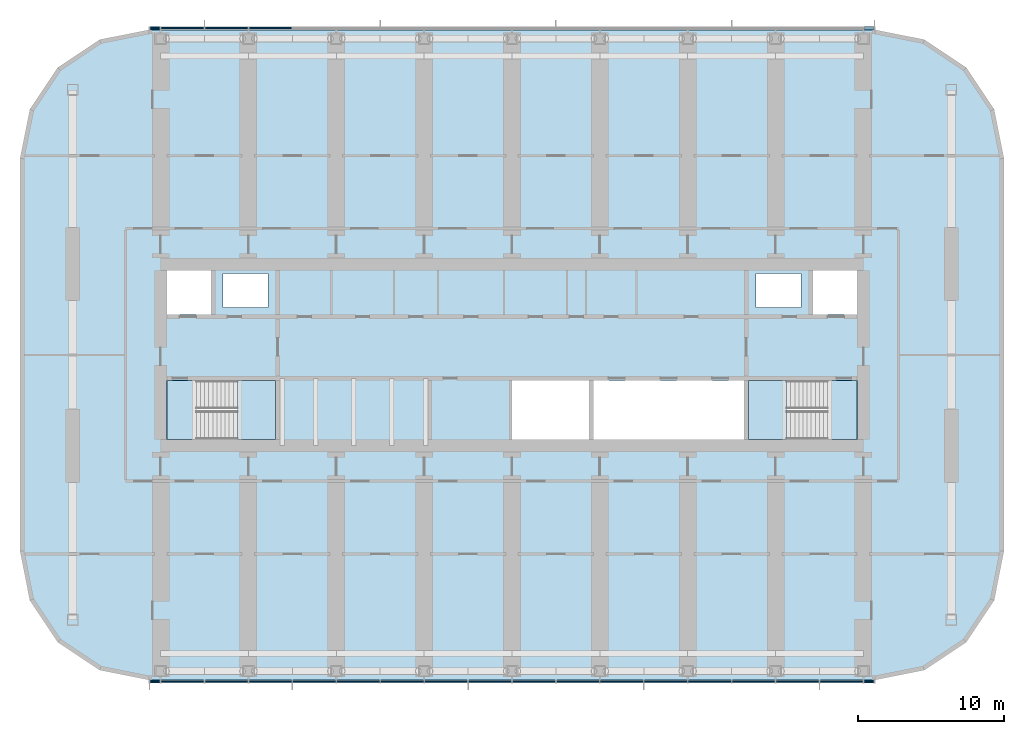
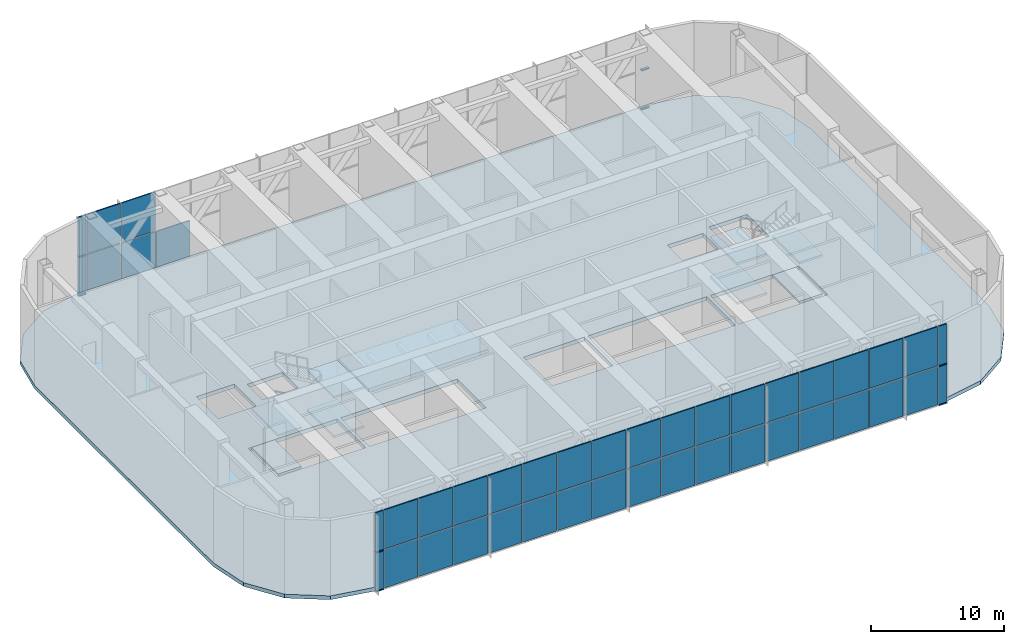
# One storey, part 6 of 22: 43 plates, 10 slabs, 8 members, 4 elements without a shape of their own.
"""IFC4 building model written with IfcOpenShell, lengths in metres."""

from ifc_helpers import new_model, si_unit, direction, frame, origin, origin_2d, place, context, subcontext, project, spatial, polyline, rectangle, outline, extrude, material, layer, layer_set, material_profile, profile_set, type_object, element, aggregate, save


model = new_model("IFC4")

# Units and contexts
model_context = context("Model", 3, precision=1e-05, world=origin(), true_north=direction((0.0, 1.0)))
body_context = subcontext(model_context, "Body", "Model", "MODEL_VIEW")
ifc_project = project(units=[si_unit("LENGTHUNIT", "METRE"), si_unit("AREAUNIT", "SQUARE_METRE"), si_unit("VOLUMEUNIT", "CUBIC_METRE"), si_unit("PLANEANGLEUNIT", "RADIAN"), si_unit("MASSUNIT", "GRAM", prefix="KILO")], contexts=[model_context])

# Site, building, storey
site_placement = place(None, origin())
site = spatial("IfcSite", under=ifc_project, at=site_placement, CompositionType="ELEMENT")
building_placement = place(site_placement, origin())
building = spatial("IfcBuilding", under=site, at=building_placement, Name="Orbita Commons", CompositionType="ELEMENT")
storey_placement = place(building_placement, frame((0.0, 0.0, 201.10009765625)))
storey = spatial("IfcBuildingStorey", under=building, at=storey_placement, Name="L50", CompositionType="ELEMENT", Elevation=201.10009765625)

# Curtain wall, members
ifc_material_1 = material(Name="Anodised aluminium frame, pale silver", Category="aluminium")
curtain_wall_type = type_object("IfcCurtainWallType", Name="Louvred curtain wall CW-V", PredefinedType="NOTDEFINED", material=ifc_material_1)
curtain_wall_1_placement = place(storey_placement, origin())
curtain_wall_1 = element("IfcCurtainWall", 1, at=curtain_wall_1_placement, inside=storey, type_object=curtain_wall_type, Name="Curtain wall south L50", PredefinedType="NOTDEFINED")
ifc_material_2 = material(Name="Anodised aluminium, pale silver", Category="aluminium")
ifc_material_profile = material_profile(ifc_material_2, rectangle(XDim=0.219970703125, YDim=0.10009765625, at=origin_2d()), Name="AL 220x100")
ifc_profile_set = profile_set([ifc_material_profile], Name="Anodised aluminium, pale silver")
member_type = type_object("IfcMemberType", Name="Curtain wall stack transom 220x100", PredefinedType="USERDEFINED", material=ifc_profile_set)
member_1_placement = place(storey_placement, frame((17.280029296875, 9.68994140625, -0.300048828125), z_axis=(1.0, 0.0, 0.0), x_axis=(0.0, 1.0, 0.0)))
member_1 = element("IfcMember", 2, at=member_1_placement, type_object=member_type, Name="Transom 1.1 CW-L50-S", ObjectType="TRANSOM", PredefinedType="USERDEFINED", context=body_context, shape_type="SweptSolid", body=[
    extrude(rectangle(XDim=0.219970703125, YDim=0.10009765625, at=origin_2d()), origin(), (0.0, 0.0, 1.0), 0.679931640625),
])
member_2_placement = place(storey_placement, frame((17.280029296875, 9.68994140625, 3.27490234375), z_axis=(1.0, 0.0, 0.0), x_axis=(0.0, 1.0, 0.0)))
member_2 = element("IfcMember", 3, at=member_2_placement, type_object=member_type, Name="Transom 1.2 CW-L50-S", ObjectType="TRANSOM", PredefinedType="USERDEFINED", context=body_context, shape_type="SweptSolid", body=[
    extrude(rectangle(XDim=0.219970703125, YDim=0.10009765625, at=origin_2d()), origin(), (0.0, 0.0, 1.0), 0.679931640625),
])
member_3_placement = place(storey_placement, frame((66.0400390625, 9.68994140625, -0.300048828125), z_axis=(1.0, 0.0, 0.0), x_axis=(0.0, 1.0, 0.0)))
member_3 = element("IfcMember", 4, at=member_3_placement, type_object=member_type, Name="Transom 18.1 CW-L50-S", ObjectType="TRANSOM", PredefinedType="USERDEFINED", context=body_context, shape_type="SweptSolid", body=[
    extrude(rectangle(XDim=0.219970703125, YDim=0.10009765625, at=origin_2d()), origin(), (0.0, 0.0, 1.0), 0.679931640625),
])
member_4_placement = place(storey_placement, frame((66.0400390625, 9.68994140625, 3.27490234375), z_axis=(1.0, 0.0, 0.0), x_axis=(0.0, 1.0, 0.0)))
member_4 = element("IfcMember", 5, at=member_4_placement, type_object=member_type, Name="Transom 18.2 CW-L50-S", ObjectType="TRANSOM", PredefinedType="USERDEFINED", context=body_context, shape_type="SweptSolid", body=[
    extrude(rectangle(XDim=0.219970703125, YDim=0.10009765625, at=origin_2d()), origin(), (0.0, 0.0, 1.0), 0.679931640625),
])

curtain_wall_2_placement = place(storey_placement, origin())
curtain_wall_2 = element("IfcCurtainWall", 6, at=curtain_wall_2_placement, inside=storey, type_object=curtain_wall_type, Name="Curtain wall north L50", PredefinedType="NOTDEFINED")
member_5_placement = place(storey_placement, frame((66.719970703125, 54.31005859375, -0.300048828125), z_axis=(-1.0, 0.0, 0.0), x_axis=(0.0, -1.0, 0.0)))
member_5 = element("IfcMember", 7, at=member_5_placement, type_object=member_type, Name="Transom 1.1 CW-L50-N", ObjectType="TRANSOM", PredefinedType="USERDEFINED", context=body_context, shape_type="SweptSolid", body=[
    extrude(rectangle(XDim=0.219970703125, YDim=0.10009765625, at=origin_2d()), origin(), (0.0, 0.0, 1.0), 0.679931640625),
])
member_6_placement = place(storey_placement, frame((66.719970703125, 54.31005859375, 3.27490234375), z_axis=(-1.0, 0.0, 0.0), x_axis=(0.0, -1.0, 0.0)))
member_6 = element("IfcMember", 8, at=member_6_placement, type_object=member_type, Name="Transom 1.2 CW-L50-N", ObjectType="TRANSOM", PredefinedType="USERDEFINED", context=body_context, shape_type="SweptSolid", body=[
    extrude(rectangle(XDim=0.219970703125, YDim=0.10009765625, at=origin_2d()), origin(), (0.0, 0.0, 1.0), 0.679931640625),
])
member_7_placement = place(storey_placement, frame((17.9599609375, 54.31005859375, -0.300048828125), z_axis=(-1.0, 0.0, 0.0), x_axis=(0.0, -1.0, 0.0)))
member_7 = element("IfcMember", 9, at=member_7_placement, type_object=member_type, Name="Transom 18.1 CW-L50-N", ObjectType="TRANSOM", PredefinedType="USERDEFINED", context=body_context, shape_type="SweptSolid", body=[
    extrude(rectangle(XDim=0.219970703125, YDim=0.10009765625, at=origin_2d()), origin(), (0.0, 0.0, 1.0), 0.679931640625),
])
member_8_placement = place(storey_placement, frame((17.9599609375, 54.31005859375, 3.27490234375), z_axis=(-1.0, 0.0, 0.0), x_axis=(0.0, -1.0, 0.0)))
member_8 = element("IfcMember", 10, at=member_8_placement, type_object=member_type, Name="Transom 18.2 CW-L50-N", ObjectType="TRANSOM", PredefinedType="USERDEFINED", context=body_context, shape_type="SweptSolid", body=[
    extrude(rectangle(XDim=0.219970703125, YDim=0.10009765625, at=origin_2d()), origin(), (0.0, 0.0, 1.0), 0.679931640625),
])

# Plate
ifc_material_3 = material(Name="Anodised aluminium louvre", Category="aluminium")
ifc_layer_1 = layer(ifc_material_3, 0.10009765625)
ifc_layer_set_1 = layer_set([ifc_layer_1], Name="Anodised aluminium louvre")
plate_type = type_object("IfcPlateType", Name="Aluminium louvre panel 100", PredefinedType="CURTAIN_PANEL", material=ifc_layer_set_1)
plate_1_placement = place(storey_placement, frame((17.6201171875, 9.68994140625, -0.250244140625), z_axis=(0.0, 0.0, 1.0), x_axis=(1.0, 0.0, 0.0)))
plate_1 = element("IfcPlate", 11, at=plate_1_placement, type_object=plate_type, Name="Panel 1.1 CW-L50-S", PredefinedType="CURTAIN_PANEL", context=body_context, shape_type="SweptSolid", body=[
    extrude(rectangle(XDim=0.679931640625, YDim=0.10009765625, at=origin_2d()), origin(), (0.0, 0.0, 1.0), 3.47509765625),
])

plate_2_placement = place(storey_placement, frame((17.6201171875, 9.68994140625, 3.32470703125), z_axis=(0.0, 0.0, 1.0), x_axis=(1.0, 0.0, 0.0)))
plate_2 = element("IfcPlate", 12, at=plate_2_placement, type_object=plate_type, Name="Panel 1.2 CW-L50-S", PredefinedType="CURTAIN_PANEL", context=body_context, shape_type="SweptSolid", body=[
    extrude(rectangle(XDim=0.679931640625, YDim=0.10009765625, at=origin_2d()), origin(), (0.0, 0.0, 1.0), 3.574951171875),
])

plate_3_placement = place(storey_placement, frame((19.5, 9.68994140625, -0.250244140625), z_axis=(0.0, 0.0, 1.0), x_axis=(1.0, 0.0, 0.0)))
plate_3 = element("IfcPlate", 13, at=plate_3_placement, type_object=plate_type, Name="Panel 2.1 CW-L50-S", PredefinedType="CURTAIN_PANEL", context=body_context, shape_type="SweptSolid", body=[
    extrude(rectangle(XDim=2.919921875, YDim=0.10009765625, at=origin_2d()), origin(), (0.0, 0.0, 1.0), 3.47509765625),
])

plate_4_placement = place(storey_placement, frame((19.5, 9.68994140625, 3.32470703125), z_axis=(0.0, 0.0, 1.0), x_axis=(1.0, 0.0, 0.0)))
plate_4 = element("IfcPlate", 14, at=plate_4_placement, type_object=plate_type, Name="Panel 2.2 CW-L50-S", PredefinedType="CURTAIN_PANEL", context=body_context, shape_type="SweptSolid", body=[
    extrude(rectangle(XDim=2.919921875, YDim=0.10009765625, at=origin_2d()), origin(), (0.0, 0.0, 1.0), 3.574951171875),
])

plate_5_placement = place(storey_placement, frame((22.5, 9.68994140625, -0.250244140625), z_axis=(0.0, 0.0, 1.0), x_axis=(1.0, 0.0, 0.0)))
plate_5 = element("IfcPlate", 15, at=plate_5_placement, type_object=plate_type, Name="Panel 3.1 CW-L50-S", PredefinedType="CURTAIN_PANEL", context=body_context, shape_type="SweptSolid", body=[
    extrude(rectangle(XDim=2.919921875, YDim=0.10009765625, at=origin_2d()), origin(), (0.0, 0.0, 1.0), 3.47509765625),
])

plate_6_placement = place(storey_placement, frame((22.5, 9.68994140625, 3.32470703125), z_axis=(0.0, 0.0, 1.0), x_axis=(1.0, 0.0, 0.0)))
plate_6 = element("IfcPlate", 16, at=plate_6_placement, type_object=plate_type, Name="Panel 3.2 CW-L50-S", PredefinedType="CURTAIN_PANEL", context=body_context, shape_type="SweptSolid", body=[
    extrude(rectangle(XDim=2.919921875, YDim=0.10009765625, at=origin_2d()), origin(), (0.0, 0.0, 1.0), 3.574951171875),
])

plate_7_placement = place(storey_placement, frame((25.5, 9.68994140625, -0.250244140625), z_axis=(0.0, 0.0, 1.0), x_axis=(1.0, 0.0, 0.0)))
plate_7 = element("IfcPlate", 17, at=plate_7_placement, type_object=plate_type, Name="Panel 4.1 CW-L50-S", PredefinedType="CURTAIN_PANEL", context=body_context, shape_type="SweptSolid", body=[
    extrude(rectangle(XDim=2.919921875, YDim=0.10009765625, at=origin_2d()), origin(), (0.0, 0.0, 1.0), 3.47509765625),
])

plate_8_placement = place(storey_placement, frame((25.5, 9.68994140625, 3.32470703125), z_axis=(0.0, 0.0, 1.0), x_axis=(1.0, 0.0, 0.0)))
plate_8 = element("IfcPlate", 18, at=plate_8_placement, type_object=plate_type, Name="Panel 4.2 CW-L50-S", PredefinedType="CURTAIN_PANEL", context=body_context, shape_type="SweptSolid", body=[
    extrude(rectangle(XDim=2.919921875, YDim=0.10009765625, at=origin_2d()), origin(), (0.0, 0.0, 1.0), 3.574951171875),
])

plate_9_placement = place(storey_placement, frame((28.5, 9.68994140625, -0.250244140625), z_axis=(0.0, 0.0, 1.0), x_axis=(1.0, 0.0, 0.0)))
plate_9 = element("IfcPlate", 19, at=plate_9_placement, type_object=plate_type, Name="Panel 5.1 CW-L50-S", PredefinedType="CURTAIN_PANEL", context=body_context, shape_type="SweptSolid", body=[
    extrude(rectangle(XDim=2.919921875, YDim=0.10009765625, at=origin_2d()), origin(), (0.0, 0.0, 1.0), 3.47509765625),
])

plate_10_placement = place(storey_placement, frame((28.5, 9.68994140625, 3.32470703125), z_axis=(0.0, 0.0, 1.0), x_axis=(1.0, 0.0, 0.0)))
plate_10 = element("IfcPlate", 20, at=plate_10_placement, type_object=plate_type, Name="Panel 5.2 CW-L50-S", PredefinedType="CURTAIN_PANEL", context=body_context, shape_type="SweptSolid", body=[
    extrude(rectangle(XDim=2.919921875, YDim=0.10009765625, at=origin_2d()), origin(), (0.0, 0.0, 1.0), 3.574951171875),
])

plate_11_placement = place(storey_placement, frame((31.5, 9.68994140625, -0.250244140625), z_axis=(0.0, 0.0, 1.0), x_axis=(1.0, 0.0, 0.0)))
plate_11 = element("IfcPlate", 21, at=plate_11_placement, type_object=plate_type, Name="Panel 6.1 CW-L50-S", PredefinedType="CURTAIN_PANEL", context=body_context, shape_type="SweptSolid", body=[
    extrude(rectangle(XDim=2.919921875, YDim=0.10009765625, at=origin_2d()), origin(), (0.0, 0.0, 1.0), 3.47509765625),
])

plate_12_placement = place(storey_placement, frame((31.5, 9.68994140625, 3.32470703125), z_axis=(0.0, 0.0, 1.0), x_axis=(1.0, 0.0, 0.0)))
plate_12 = element("IfcPlate", 22, at=plate_12_placement, type_object=plate_type, Name="Panel 6.2 CW-L50-S", PredefinedType="CURTAIN_PANEL", context=body_context, shape_type="SweptSolid", body=[
    extrude(rectangle(XDim=2.919921875, YDim=0.10009765625, at=origin_2d()), origin(), (0.0, 0.0, 1.0), 3.574951171875),
])

plate_13_placement = place(storey_placement, frame((34.5, 9.68994140625, -0.250244140625), z_axis=(0.0, 0.0, 1.0), x_axis=(1.0, 0.0, 0.0)))
plate_13 = element("IfcPlate", 23, at=plate_13_placement, type_object=plate_type, Name="Panel 7.1 CW-L50-S", PredefinedType="CURTAIN_PANEL", context=body_context, shape_type="SweptSolid", body=[
    extrude(rectangle(XDim=2.919921875, YDim=0.10009765625, at=origin_2d()), origin(), (0.0, 0.0, 1.0), 3.47509765625),
])

plate_14_placement = place(storey_placement, frame((34.5, 9.68994140625, 3.32470703125), z_axis=(0.0, 0.0, 1.0), x_axis=(1.0, 0.0, 0.0)))
plate_14 = element("IfcPlate", 24, at=plate_14_placement, type_object=plate_type, Name="Panel 7.2 CW-L50-S", PredefinedType="CURTAIN_PANEL", context=body_context, shape_type="SweptSolid", body=[
    extrude(rectangle(XDim=2.919921875, YDim=0.10009765625, at=origin_2d()), origin(), (0.0, 0.0, 1.0), 3.574951171875),
])

plate_15_placement = place(storey_placement, frame((37.5, 9.68994140625, -0.250244140625), z_axis=(0.0, 0.0, 1.0), x_axis=(1.0, 0.0, 0.0)))
plate_15 = element("IfcPlate", 25, at=plate_15_placement, type_object=plate_type, Name="Panel 8.1 CW-L50-S", PredefinedType="CURTAIN_PANEL", context=body_context, shape_type="SweptSolid", body=[
    extrude(rectangle(XDim=2.919921875, YDim=0.10009765625, at=origin_2d()), origin(), (0.0, 0.0, 1.0), 3.47509765625),
])

plate_16_placement = place(storey_placement, frame((37.5, 9.68994140625, 3.32470703125), z_axis=(0.0, 0.0, 1.0), x_axis=(1.0, 0.0, 0.0)))
plate_16 = element("IfcPlate", 26, at=plate_16_placement, type_object=plate_type, Name="Panel 8.2 CW-L50-S", PredefinedType="CURTAIN_PANEL", context=body_context, shape_type="SweptSolid", body=[
    extrude(rectangle(XDim=2.919921875, YDim=0.10009765625, at=origin_2d()), origin(), (0.0, 0.0, 1.0), 3.574951171875),
])

plate_17_placement = place(storey_placement, frame((40.5, 9.68994140625, -0.250244140625), z_axis=(0.0, 0.0, 1.0), x_axis=(1.0, 0.0, 0.0)))
plate_17 = element("IfcPlate", 27, at=plate_17_placement, type_object=plate_type, Name="Panel 9.1 CW-L50-S", PredefinedType="CURTAIN_PANEL", context=body_context, shape_type="SweptSolid", body=[
    extrude(rectangle(XDim=2.919921875, YDim=0.10009765625, at=origin_2d()), origin(), (0.0, 0.0, 1.0), 3.47509765625),
])

plate_18_placement = place(storey_placement, frame((40.5, 9.68994140625, 3.32470703125), z_axis=(0.0, 0.0, 1.0), x_axis=(1.0, 0.0, 0.0)))
plate_18 = element("IfcPlate", 28, at=plate_18_placement, type_object=plate_type, Name="Panel 9.2 CW-L50-S", PredefinedType="CURTAIN_PANEL", context=body_context, shape_type="SweptSolid", body=[
    extrude(rectangle(XDim=2.919921875, YDim=0.10009765625, at=origin_2d()), origin(), (0.0, 0.0, 1.0), 3.574951171875),
])

plate_19_placement = place(storey_placement, frame((43.5, 9.68994140625, -0.250244140625), z_axis=(0.0, 0.0, 1.0), x_axis=(1.0, 0.0, 0.0)))
plate_19 = element("IfcPlate", 29, at=plate_19_placement, type_object=plate_type, Name="Panel 10.1 CW-L50-S", PredefinedType="CURTAIN_PANEL", context=body_context, shape_type="SweptSolid", body=[
    extrude(rectangle(XDim=2.919921875, YDim=0.10009765625, at=origin_2d()), origin(), (0.0, 0.0, 1.0), 3.47509765625),
])

plate_20_placement = place(storey_placement, frame((43.5, 9.68994140625, 3.32470703125), z_axis=(0.0, 0.0, 1.0), x_axis=(1.0, 0.0, 0.0)))
plate_20 = element("IfcPlate", 30, at=plate_20_placement, type_object=plate_type, Name="Panel 10.2 CW-L50-S", PredefinedType="CURTAIN_PANEL", context=body_context, shape_type="SweptSolid", body=[
    extrude(rectangle(XDim=2.919921875, YDim=0.10009765625, at=origin_2d()), origin(), (0.0, 0.0, 1.0), 3.574951171875),
])

plate_21_placement = place(storey_placement, frame((46.5, 9.68994140625, -0.250244140625), z_axis=(0.0, 0.0, 1.0), x_axis=(1.0, 0.0, 0.0)))
plate_21 = element("IfcPlate", 31, at=plate_21_placement, type_object=plate_type, Name="Panel 11.1 CW-L50-S", PredefinedType="CURTAIN_PANEL", context=body_context, shape_type="SweptSolid", body=[
    extrude(rectangle(XDim=2.919921875, YDim=0.10009765625, at=origin_2d()), origin(), (0.0, 0.0, 1.0), 3.47509765625),
])

plate_22_placement = place(storey_placement, frame((46.5, 9.68994140625, 3.32470703125), z_axis=(0.0, 0.0, 1.0), x_axis=(1.0, 0.0, 0.0)))
plate_22 = element("IfcPlate", 32, at=plate_22_placement, type_object=plate_type, Name="Panel 11.2 CW-L50-S", PredefinedType="CURTAIN_PANEL", context=body_context, shape_type="SweptSolid", body=[
    extrude(rectangle(XDim=2.919921875, YDim=0.10009765625, at=origin_2d()), origin(), (0.0, 0.0, 1.0), 3.574951171875),
])

plate_23_placement = place(storey_placement, frame((49.5, 9.68994140625, -0.250244140625), z_axis=(0.0, 0.0, 1.0), x_axis=(1.0, 0.0, 0.0)))
plate_23 = element("IfcPlate", 33, at=plate_23_placement, type_object=plate_type, Name="Panel 12.1 CW-L50-S", PredefinedType="CURTAIN_PANEL", context=body_context, shape_type="SweptSolid", body=[
    extrude(rectangle(XDim=2.919921875, YDim=0.10009765625, at=origin_2d()), origin(), (0.0, 0.0, 1.0), 3.47509765625),
])

plate_24_placement = place(storey_placement, frame((49.5, 9.68994140625, 3.32470703125), z_axis=(0.0, 0.0, 1.0), x_axis=(1.0, 0.0, 0.0)))
plate_24 = element("IfcPlate", 34, at=plate_24_placement, type_object=plate_type, Name="Panel 12.2 CW-L50-S", PredefinedType="CURTAIN_PANEL", context=body_context, shape_type="SweptSolid", body=[
    extrude(rectangle(XDim=2.919921875, YDim=0.10009765625, at=origin_2d()), origin(), (0.0, 0.0, 1.0), 3.574951171875),
])

plate_25_placement = place(storey_placement, frame((52.5, 9.68994140625, -0.250244140625), z_axis=(0.0, 0.0, 1.0), x_axis=(1.0, 0.0, 0.0)))
plate_25 = element("IfcPlate", 35, at=plate_25_placement, type_object=plate_type, Name="Panel 13.1 CW-L50-S", PredefinedType="CURTAIN_PANEL", context=body_context, shape_type="SweptSolid", body=[
    extrude(rectangle(XDim=2.919921875, YDim=0.10009765625, at=origin_2d()), origin(), (0.0, 0.0, 1.0), 3.47509765625),
])

plate_26_placement = place(storey_placement, frame((52.5, 9.68994140625, 3.32470703125), z_axis=(0.0, 0.0, 1.0), x_axis=(1.0, 0.0, 0.0)))
plate_26 = element("IfcPlate", 36, at=plate_26_placement, type_object=plate_type, Name="Panel 13.2 CW-L50-S", PredefinedType="CURTAIN_PANEL", context=body_context, shape_type="SweptSolid", body=[
    extrude(rectangle(XDim=2.919921875, YDim=0.10009765625, at=origin_2d()), origin(), (0.0, 0.0, 1.0), 3.574951171875),
])

plate_27_placement = place(storey_placement, frame((55.5, 9.68994140625, -0.250244140625), z_axis=(0.0, 0.0, 1.0), x_axis=(1.0, 0.0, 0.0)))
plate_27 = element("IfcPlate", 37, at=plate_27_placement, type_object=plate_type, Name="Panel 14.1 CW-L50-S", PredefinedType="CURTAIN_PANEL", context=body_context, shape_type="SweptSolid", body=[
    extrude(rectangle(XDim=2.919921875, YDim=0.10009765625, at=origin_2d()), origin(), (0.0, 0.0, 1.0), 3.47509765625),
])

plate_28_placement = place(storey_placement, frame((55.5, 9.68994140625, 3.32470703125), z_axis=(0.0, 0.0, 1.0), x_axis=(1.0, 0.0, 0.0)))
plate_28 = element("IfcPlate", 38, at=plate_28_placement, type_object=plate_type, Name="Panel 14.2 CW-L50-S", PredefinedType="CURTAIN_PANEL", context=body_context, shape_type="SweptSolid", body=[
    extrude(rectangle(XDim=2.919921875, YDim=0.10009765625, at=origin_2d()), origin(), (0.0, 0.0, 1.0), 3.574951171875),
])

plate_29_placement = place(storey_placement, frame((58.5, 9.68994140625, -0.250244140625), z_axis=(0.0, 0.0, 1.0), x_axis=(1.0, 0.0, 0.0)))
plate_29 = element("IfcPlate", 39, at=plate_29_placement, type_object=plate_type, Name="Panel 15.1 CW-L50-S", PredefinedType="CURTAIN_PANEL", context=body_context, shape_type="SweptSolid", body=[
    extrude(rectangle(XDim=2.919921875, YDim=0.10009765625, at=origin_2d()), origin(), (0.0, 0.0, 1.0), 3.47509765625),
])

plate_30_placement = place(storey_placement, frame((58.5, 9.68994140625, 3.32470703125), z_axis=(0.0, 0.0, 1.0), x_axis=(1.0, 0.0, 0.0)))
plate_30 = element("IfcPlate", 40, at=plate_30_placement, type_object=plate_type, Name="Panel 15.2 CW-L50-S", PredefinedType="CURTAIN_PANEL", context=body_context, shape_type="SweptSolid", body=[
    extrude(rectangle(XDim=2.919921875, YDim=0.10009765625, at=origin_2d()), origin(), (0.0, 0.0, 1.0), 3.574951171875),
])

plate_31_placement = place(storey_placement, frame((61.5, 9.68994140625, -0.250244140625), z_axis=(0.0, 0.0, 1.0), x_axis=(1.0, 0.0, 0.0)))
plate_31 = element("IfcPlate", 41, at=plate_31_placement, type_object=plate_type, Name="Panel 16.1 CW-L50-S", PredefinedType="CURTAIN_PANEL", context=body_context, shape_type="SweptSolid", body=[
    extrude(rectangle(XDim=2.919921875, YDim=0.10009765625, at=origin_2d()), origin(), (0.0, 0.0, 1.0), 3.47509765625),
])

plate_32_placement = place(storey_placement, frame((61.5, 9.68994140625, 3.32470703125), z_axis=(0.0, 0.0, 1.0), x_axis=(1.0, 0.0, 0.0)))
plate_32 = element("IfcPlate", 42, at=plate_32_placement, type_object=plate_type, Name="Panel 16.2 CW-L50-S", PredefinedType="CURTAIN_PANEL", context=body_context, shape_type="SweptSolid", body=[
    extrude(rectangle(XDim=2.919921875, YDim=0.10009765625, at=origin_2d()), origin(), (0.0, 0.0, 1.0), 3.574951171875),
])

plate_33_placement = place(storey_placement, frame((64.5, 9.68994140625, -0.250244140625), z_axis=(0.0, 0.0, 1.0), x_axis=(1.0, 0.0, 0.0)))
plate_33 = element("IfcPlate", 43, at=plate_33_placement, type_object=plate_type, Name="Panel 17.1 CW-L50-S", PredefinedType="CURTAIN_PANEL", context=body_context, shape_type="SweptSolid", body=[
    extrude(rectangle(XDim=2.919921875, YDim=0.10009765625, at=origin_2d()), origin(), (0.0, 0.0, 1.0), 3.47509765625),
])

plate_34_placement = place(storey_placement, frame((64.5, 9.68994140625, 3.32470703125), z_axis=(0.0, 0.0, 1.0), x_axis=(1.0, 0.0, 0.0)))
plate_34 = element("IfcPlate", 44, at=plate_34_placement, type_object=plate_type, Name="Panel 17.2 CW-L50-S", PredefinedType="CURTAIN_PANEL", context=body_context, shape_type="SweptSolid", body=[
    extrude(rectangle(XDim=2.919921875, YDim=0.10009765625, at=origin_2d()), origin(), (0.0, 0.0, 1.0), 3.574951171875),
])

plate_35_placement = place(storey_placement, frame((66.3798828125, 9.68994140625, -0.250244140625), z_axis=(0.0, 0.0, 1.0), x_axis=(1.0, 0.0, 0.0)))
plate_35 = element("IfcPlate", 45, at=plate_35_placement, type_object=plate_type, Name="Panel 18.1 CW-L50-S", PredefinedType="CURTAIN_PANEL", context=body_context, shape_type="SweptSolid", body=[
    extrude(rectangle(XDim=0.679931640625, YDim=0.10009765625, at=origin_2d()), origin(), (0.0, 0.0, 1.0), 3.47509765625),
])

plate_36_placement = place(storey_placement, frame((66.3798828125, 9.68994140625, 3.32470703125), z_axis=(0.0, 0.0, 1.0), x_axis=(1.0, 0.0, 0.0)))
plate_36 = element("IfcPlate", 46, at=plate_36_placement, type_object=plate_type, Name="Panel 18.2 CW-L50-S", PredefinedType="CURTAIN_PANEL", context=body_context, shape_type="SweptSolid", body=[
    extrude(rectangle(XDim=0.679931640625, YDim=0.10009765625, at=origin_2d()), origin(), (0.0, 0.0, 1.0), 3.574951171875),
])

aggregate(curtain_wall_1, [member_1, member_2, plate_1, plate_2, plate_3, plate_4, plate_5, plate_6, plate_7, plate_8, plate_9, plate_10, plate_11, plate_12, plate_13, plate_14, plate_15, plate_16, plate_17, plate_18, plate_19, plate_20, plate_21, plate_22, plate_23, plate_24, plate_25, plate_26, plate_27, plate_28, plate_29, plate_30, plate_31, plate_32, plate_33, plate_34, member_3, member_4, plate_35, plate_36])

plate_37_placement = place(storey_placement, frame((25.5, 54.31005859375, -0.250244140625), z_axis=(0.0, 0.0, 1.0), x_axis=(-1.0, 0.0, 0.0)))
plate_37 = element("IfcPlate", 47, at=plate_37_placement, type_object=plate_type, Name="Panel 15.1 CW-L50-N", PredefinedType="CURTAIN_PANEL", context=body_context, shape_type="SweptSolid", body=[
    extrude(rectangle(XDim=2.919921875, YDim=0.10009765625, at=origin_2d()), origin(), (0.0, 0.0, 1.0), 3.47509765625),
])

plate_38_placement = place(storey_placement, frame((22.5, 54.31005859375, -0.250244140625), z_axis=(0.0, 0.0, 1.0), x_axis=(-1.0, 0.0, 0.0)))
plate_38 = element("IfcPlate", 48, at=plate_38_placement, type_object=plate_type, Name="Panel 16.1 CW-L50-N", PredefinedType="CURTAIN_PANEL", context=body_context, shape_type="SweptSolid", body=[
    extrude(rectangle(XDim=2.919921875, YDim=0.10009765625, at=origin_2d()), origin(), (0.0, 0.0, 1.0), 3.47509765625),
])

plate_39_placement = place(storey_placement, frame((22.5, 54.31005859375, 3.32470703125), z_axis=(0.0, 0.0, 1.0), x_axis=(-1.0, 0.0, 0.0)))
plate_39 = element("IfcPlate", 49, at=plate_39_placement, type_object=plate_type, Name="Panel 16.2 CW-L50-N", PredefinedType="CURTAIN_PANEL", context=body_context, shape_type="SweptSolid", body=[
    extrude(rectangle(XDim=2.919921875, YDim=0.10009765625, at=origin_2d()), origin(), (0.0, 0.0, 1.0), 3.574951171875),
])

plate_40_placement = place(storey_placement, frame((19.5, 54.31005859375, -0.250244140625), z_axis=(0.0, 0.0, 1.0), x_axis=(-1.0, 0.0, 0.0)))
plate_40 = element("IfcPlate", 50, at=plate_40_placement, type_object=plate_type, Name="Panel 17.1 CW-L50-N", PredefinedType="CURTAIN_PANEL", context=body_context, shape_type="SweptSolid", body=[
    extrude(rectangle(XDim=2.919921875, YDim=0.10009765625, at=origin_2d()), origin(), (0.0, 0.0, 1.0), 3.47509765625),
])

plate_41_placement = place(storey_placement, frame((19.5, 54.31005859375, 3.32470703125), z_axis=(0.0, 0.0, 1.0), x_axis=(-1.0, 0.0, 0.0)))
plate_41 = element("IfcPlate", 51, at=plate_41_placement, type_object=plate_type, Name="Panel 17.2 CW-L50-N", PredefinedType="CURTAIN_PANEL", context=body_context, shape_type="SweptSolid", body=[
    extrude(rectangle(XDim=2.919921875, YDim=0.10009765625, at=origin_2d()), origin(), (0.0, 0.0, 1.0), 3.574951171875),
])

plate_42_placement = place(storey_placement, frame((17.6201171875, 54.31005859375, -0.250244140625), z_axis=(0.0, 0.0, 1.0), x_axis=(-1.0, 0.0, 0.0)))
plate_42 = element("IfcPlate", 52, at=plate_42_placement, type_object=plate_type, Name="Panel 18.1 CW-L50-N", PredefinedType="CURTAIN_PANEL", context=body_context, shape_type="SweptSolid", body=[
    extrude(rectangle(XDim=0.679931640625, YDim=0.10009765625, at=origin_2d()), origin(), (0.0, 0.0, 1.0), 3.47509765625),
])

plate_43_placement = place(storey_placement, frame((17.6201171875, 54.31005859375, 3.32470703125), z_axis=(0.0, 0.0, 1.0), x_axis=(-1.0, 0.0, 0.0)))
plate_43 = element("IfcPlate", 53, at=plate_43_placement, type_object=plate_type, Name="Panel 18.2 CW-L50-N", PredefinedType="CURTAIN_PANEL", context=body_context, shape_type="SweptSolid", body=[
    extrude(rectangle(XDim=0.679931640625, YDim=0.10009765625, at=origin_2d()), origin(), (0.0, 0.0, 1.0), 3.574951171875),
])

aggregate(curtain_wall_2, [member_5, member_6, plate_37, plate_38, plate_39, plate_40, plate_41, member_7, member_8, plate_42, plate_43])

# Slabs
ifc_material_4 = material(Name="Concrete C40/50", Category="concrete")
ifc_layer_2 = layer(ifc_material_4, 0.35009765625)
ifc_layer_set_2 = layer_set([ifc_layer_2], Name="Concrete C40/50")
slab_type_1 = type_object("IfcSlabType", Name="Floor slab 350", PredefinedType="FLOOR", material=ifc_layer_set_2)
slab_1_placement = place(storey_placement, frame((0.0, 0.0, -0.35009765625)))
element("IfcSlab", 54, at=slab_1_placement, inside=storey, type_object=slab_type_1, Name="Floor slab L50", PredefinedType="FLOOR", context=body_context, shape_type="SweptSolid", body=[
    extrude(outline(polyline([(66.800048828125, 9.800048828125), (70.167724609375, 10.469970703125), (73.0224609375, 12.37744140625), (74.93017578125, 15.232421875), (75.60009765625, 18.60009765625), (75.60009765625, 45.39990234375), (74.93017578125, 48.767578125), (73.0224609375, 51.62255859375), (70.167724609375, 53.530029296875), (66.800048828125, 54.199951171875), (17.199951171875, 54.199951171875), (13.832275390625, 53.530029296875), (10.9775390625, 51.62255859375), (9.06982421875, 48.767578125), (8.39990234375, 45.39990234375), (8.39990234375, 18.60009765625), (9.06982421875, 15.232421875), (10.9775390625, 12.37744140625), (13.832275390625, 10.469970703125), (17.199951171875, 9.800048828125), (66.800048828125, 9.800048828125)]), holes=[polyline([(18.14990234375, 25.949951171875), (25.85009765625, 25.949951171875), (25.85009765625, 30.25), (18.14990234375, 30.25), (18.14990234375, 25.949951171875)]), polyline([(58.14990234375, 25.949951171875), (65.85009765625, 25.949951171875), (65.85009765625, 30.25), (58.14990234375, 30.25), (58.14990234375, 25.949951171875)]), polyline([(18.14990234375, 34.75), (21.449951171875, 34.75), (21.449951171875, 38.050048828125), (18.14990234375, 38.050048828125), (18.14990234375, 34.75)]), polyline([(62.550048828125, 34.75), (65.85009765625, 34.75), (65.85009765625, 38.050048828125), (62.550048828125, 38.050048828125), (62.550048828125, 34.75)]), polyline([(22.25, 35.25), (25.35009765625, 35.25), (25.35009765625, 37.550048828125), (22.25, 37.550048828125), (22.25, 35.25)]), polyline([(58.64990234375, 35.25), (61.75, 35.25), (61.75, 37.550048828125), (58.64990234375, 37.550048828125), (58.64990234375, 35.25)]), polyline([(26.14990234375, 25.949951171875), (36.25, 25.949951171875), (36.25, 30.25), (26.14990234375, 30.25), (26.14990234375, 25.949951171875)]), polyline([(42.0, 25.949951171875), (47.25, 25.949951171875), (47.25, 30.25), (42.0, 30.25), (42.0, 25.949951171875)]), polyline([(47.550048828125, 25.949951171875), (57.85009765625, 25.949951171875), (57.85009765625, 30.25), (47.550048828125, 30.25), (47.550048828125, 25.949951171875)])]), origin(), (0.0, 0.0, 1.0), 0.35009765625),
])
ifc_material_5 = material(Name="Concrete C40/50", Category="concrete")
ifc_layer_3 = layer(ifc_material_5, 0.300048828125)
ifc_layer_set_3 = layer_set([ifc_layer_3], Name="Concrete C40/50")
slab_type_2 = type_object("IfcSlabType", Name="Lift pit slab 300", PredefinedType="FLOOR", material=ifc_layer_set_3)
slab_2_placement = place(storey_placement, frame((0.0, 0.0, 5.099853515625)))
element("IfcSlab", 55, at=slab_2_placement, inside=storey, type_object=slab_type_2, Name="Lift pit slab bank P4", PredefinedType="FLOOR", context=body_context, shape_type="SweptSolid", body=[
    extrude(outline(polyline([(26.0, 25.800048828125), (36.39990234375, 25.800048828125), (36.39990234375, 30.39990234375), (26.0, 30.39990234375), (26.0, 25.800048828125)])), origin(), (0.0, 0.0, 1.0), 0.300048828125),
])

# Stair, slabs
ifc_material_6 = material(Name="Precast concrete C40/50", Category="concrete")
stair_type_1 = type_object("IfcStairType", Name="Exit stair S1 4 flights 11 risers 164", PredefinedType="HALF_TURN_STAIR", material=ifc_material_6)
stair_1_placement = place(storey_placement, origin())
stair_1 = element("IfcStair", 56, at=stair_1_placement, inside=storey, type_object=stair_type_1, Name="Exit stair S1 L50", PredefinedType="HALF_TURN_STAIR")
ifc_material_7 = material(Name="Concrete C40/50", Category="concrete")
ifc_layer_4 = layer(ifc_material_7, 0.199951171875)
ifc_layer_set_4 = layer_set([ifc_layer_4], Name="Concrete C40/50")
slab_type_3 = type_object("IfcSlabType", Name="Stair landing 200", PredefinedType="LANDING", material=ifc_layer_set_4)
slab_3_placement = place(storey_placement, frame((0.0, 0.0, -0.2001953125)))
slab_3 = element("IfcSlab", 57, at=slab_3_placement, type_object=slab_type_3, Name="S1 landing 1", PredefinedType="LANDING", context=body_context, shape_type="SweptSolid", body=[
    extrude(outline(polyline([(18.425048828125, 26.22509765625), (20.449951171875, 26.22509765625), (20.449951171875, 30.25), (18.425048828125, 30.25), (18.425048828125, 26.22509765625)])), origin(), (0.0, 0.0, 1.0), 0.2001953125),
])
slab_4_placement = place(storey_placement, frame((0.0, 0.0, 1.599853515625)))
slab_4 = element("IfcSlab", 58, at=slab_4_placement, type_object=slab_type_3, Name="S1 landing 2", PredefinedType="LANDING", context=body_context, shape_type="SweptSolid", body=[
    extrude(outline(polyline([(23.25, 26.2099609375), (25.864990234375, 26.2099609375), (25.864990234375, 30.264892578125), (23.25, 30.264892578125), (23.25, 26.2099609375)])), origin(), (0.0, 0.0, 1.0), 0.199951171875),
])
slab_5_placement = place(storey_placement, frame((0.0, 0.0, 3.39990234375)))
slab_5 = element("IfcSlab", 59, at=slab_5_placement, type_object=slab_type_3, Name="S1 landing 3", PredefinedType="LANDING", context=body_context, shape_type="SweptSolid", body=[
    extrude(outline(polyline([(18.409912109375, 26.2099609375), (20.449951171875, 26.2099609375), (20.449951171875, 30.264892578125), (18.409912109375, 30.264892578125), (18.409912109375, 26.2099609375)])), origin(), (0.0, 0.0, 1.0), 0.199951171875),
])
slab_6_placement = place(storey_placement, frame((0.0, 0.0, 5.199951171875)))
slab_6 = element("IfcSlab", 60, at=slab_6_placement, type_object=slab_type_3, Name="S1 landing 4", PredefinedType="LANDING", context=body_context, shape_type="SweptSolid", body=[
    extrude(outline(polyline([(23.25, 26.2099609375), (25.864990234375, 26.2099609375), (25.864990234375, 30.264892578125), (23.25, 30.264892578125), (23.25, 26.2099609375)])), origin(), (0.0, 0.0, 1.0), 0.199951171875),
])
aggregate(stair_1, [slab_3, slab_4, slab_5, slab_6])

ifc_material_8 = material(Name="Precast concrete C40/50", Category="concrete")
stair_type_2 = type_object("IfcStairType", Name="Exit stair S2 4 flights 11 risers 164", PredefinedType="HALF_TURN_STAIR", material=ifc_material_8)
stair_2_placement = place(storey_placement, origin())
stair_2 = element("IfcStair", 61, at=stair_2_placement, inside=storey, type_object=stair_type_2, Name="Exit stair S2 L50", PredefinedType="HALF_TURN_STAIR")
slab_7_placement = place(storey_placement, frame((0.0, 0.0, -0.2001953125)))
slab_7 = element("IfcSlab", 62, at=slab_7_placement, type_object=slab_type_3, Name="S2 landing 1", PredefinedType="LANDING", context=body_context, shape_type="SweptSolid", body=[
    extrude(outline(polyline([(63.550048828125, 26.22509765625), (65.574951171875, 26.22509765625), (65.574951171875, 30.25), (63.550048828125, 30.25), (63.550048828125, 26.22509765625)])), origin(), (0.0, 0.0, 1.0), 0.2001953125),
])
slab_8_placement = place(storey_placement, frame((0.0, 0.0, 1.599853515625)))
slab_8 = element("IfcSlab", 63, at=slab_8_placement, type_object=slab_type_3, Name="S2 landing 2", PredefinedType="LANDING", context=body_context, shape_type="SweptSolid", body=[
    extrude(outline(polyline([(58.135009765625, 26.2099609375), (60.75, 26.2099609375), (60.75, 30.264892578125), (58.135009765625, 30.264892578125), (58.135009765625, 26.2099609375)])), origin(), (0.0, 0.0, 1.0), 0.199951171875),
])
slab_9_placement = place(storey_placement, frame((0.0, 0.0, 3.39990234375)))
slab_9 = element("IfcSlab", 64, at=slab_9_placement, type_object=slab_type_3, Name="S2 landing 3", PredefinedType="LANDING", context=body_context, shape_type="SweptSolid", body=[
    extrude(outline(polyline([(63.550048828125, 26.2099609375), (65.590087890625, 26.2099609375), (65.590087890625, 30.264892578125), (63.550048828125, 30.264892578125), (63.550048828125, 26.2099609375)])), origin(), (0.0, 0.0, 1.0), 0.199951171875),
])
slab_10_placement = place(storey_placement, frame((0.0, 0.0, 5.199951171875)))
slab_10 = element("IfcSlab", 65, at=slab_10_placement, type_object=slab_type_3, Name="S2 landing 4", PredefinedType="LANDING", context=body_context, shape_type="SweptSolid", body=[
    extrude(outline(polyline([(58.135009765625, 26.2099609375), (60.75, 26.2099609375), (60.75, 30.264892578125), (58.135009765625, 30.264892578125), (58.135009765625, 26.2099609375)])), origin(), (0.0, 0.0, 1.0), 0.199951171875),
])
aggregate(stair_2, [slab_7, slab_8, slab_9, slab_10])

save(model, "model.ifc")
